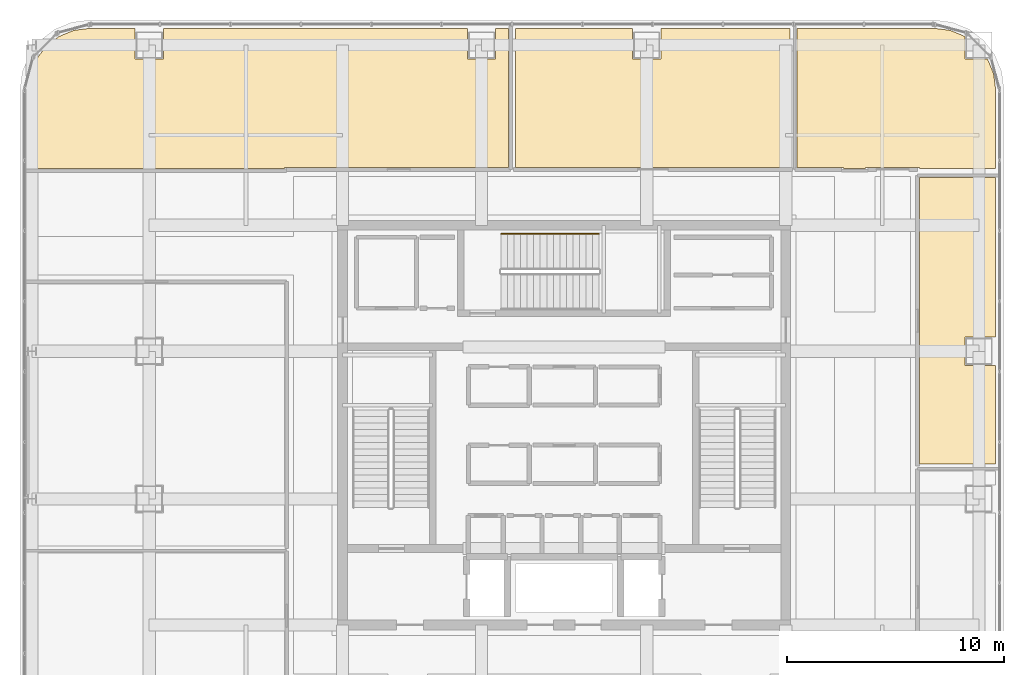
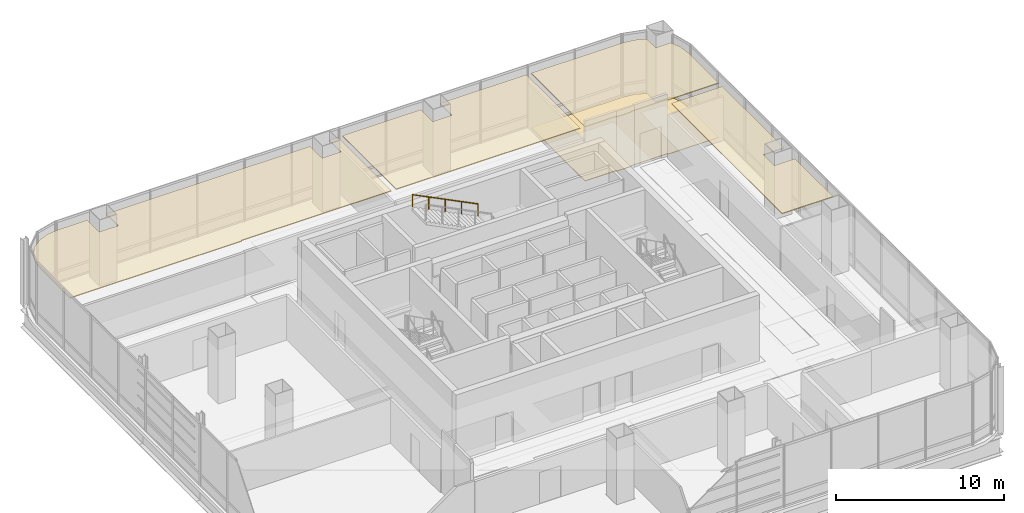
# One storey, part 45 of 45: 5 coverings, 1 railing.
"""IFC4 building model written with IfcOpenShell, lengths in metres."""

from ifc_helpers import new_model, si_unit, direction, frame, origin, origin_2d, place, context, subcontext, project, spatial, polyline, circle, outline, extrude, material, layer, layer_set, type_object, element, save


model = new_model("IFC4")

# Units and contexts
model_context = context("Model", 3, precision=1e-05, world=origin(), true_north=direction((0.0, 1.0)))
body_context = subcontext(model_context, "Body", "Model", "MODEL_VIEW")
ifc_project = project(units=[si_unit("LENGTHUNIT", "METRE"), si_unit("AREAUNIT", "SQUARE_METRE"), si_unit("VOLUMEUNIT", "CUBIC_METRE"), si_unit("PLANEANGLEUNIT", "RADIAN"), si_unit("MASSUNIT", "GRAM", prefix="KILO")], contexts=[model_context])

# Site, building, storey
site_placement = place(None, origin())
site = spatial("IfcSite", under=ifc_project, at=site_placement, CompositionType="ELEMENT")
building_placement = place(site_placement, origin())
building = spatial("IfcBuilding", under=site, at=building_placement, Name="Punatoya Terracotta Tower", CompositionType="ELEMENT")
storey_placement = place(building_placement, frame((0.0, 0.0, 339.0)))
storey = spatial("IfcBuildingStorey", under=building, at=storey_placement, Name="L80", CompositionType="ELEMENT", Elevation=339.0)

# Coverings
ifc_material_1 = material(Name="Acoustic Mineral Fibre Ceiling")
ifc_layer_1 = layer(ifc_material_1, 0.06005859375)
ifc_layer_set_1 = layer_set([ifc_layer_1], Name="Acoustic Mineral Fibre Ceiling")
covering_type_1 = type_object("IfcCoveringType", Name="COV-CEIL-60", PredefinedType="CEILING", material=ifc_layer_set_1)
covering_1_placement = place(storey_placement, frame((0.0, 0.0, 3.929931640625)))
element("IfcCovering", 1, at=covering_1_placement, inside=storey, type_object=covering_type_1, Name="L80 Open-Plan Visitors' Wellness Lounge Acoustic Ceiling", PredefinedType="CEILING", context=body_context, shape_type="SweptSolid", body=[
    extrude(outline(polyline([(18.449951171875, 4.050048828125), (19.8701171875, 4.050048828125), (19.8701171875, 11.389892578125), (16.3701171875, 11.389892578125), (16.3701171875, -1.7900390625), (19.8701171875, -1.7900390625), (19.8701171875, 2.75), (18.449951171875, 2.75), (18.449951171875, 4.050048828125)])), origin(), (0.0, 0.0, 1.0), 0.06005859375),
])
covering_2_placement = place(storey_placement, frame((0.0, 0.0, 3.929931640625)))
element("IfcCovering", 2, at=covering_2_placement, inside=storey, type_object=covering_type_1, Name="L80 Open-Plan Horizon Tea Pantry Acoustic Ceiling", PredefinedType="CEILING", context=body_context, shape_type="SweptSolid", body=[
    extrude(outline(polyline([(-19.75, 18.27001953125), (-21.8251953125, 18.27001953125), (-22.5791015625, 18.1708984375), (-23.25830078125, 17.889404296875), (-23.841796875, 17.441650390625), (-24.289306640625, 16.8583984375), (-24.57080078125, 16.178955078125), (-24.669921875, 15.425048828125), (-24.669921875, 11.81005859375), (-12.8701171875, 11.81005859375), (-12.8701171875, 11.8701171875), (-2.56005859375, 11.8701171875), (-2.56005859375, 18.27001953125), (-3.14990234375, 18.27001953125), (-3.14990234375, 16.85009765625), (-4.449951171875, 16.85009765625), (-4.449951171875, 18.27001953125), (-18.449951171875, 18.27001953125), (-18.449951171875, 16.85009765625), (-19.75, 16.85009765625), (-19.75, 18.27001953125)])), origin(), (0.0, 0.0, 1.0), 0.06005859375),
])
covering_3_placement = place(storey_placement, frame((0.0, 0.0, 3.929931640625)))
element("IfcCovering", 3, at=covering_3_placement, inside=storey, type_object=covering_type_1, Name="L80 Open-Plan Waterfront Observation Gallery Acoustic Ceiling", PredefinedType="CEILING", context=body_context, shape_type="SweptSolid", body=[
    extrude(outline(polyline([(12.8701171875, 11.81005859375), (13.8798828125, 11.81005859375), (13.8798828125, 11.8701171875), (16.3701171875, 11.8701171875), (16.3701171875, 11.81005859375), (19.8701171875, 11.81005859375), (19.8701171875, 15.425048828125), (19.770751953125, 16.178955078125), (19.492919921875, 16.85009765625), (18.449951171875, 16.85009765625), (18.449951171875, 17.892822265625), (17.779052734375, 18.1708984375), (17.025146484375, 18.27001953125), (10.72412109375, 18.27001953125), (10.72412109375, 11.8701171875), (12.8701171875, 11.8701171875), (12.8701171875, 11.81005859375)])), origin(), (0.0, 0.0, 1.0), 0.06005859375),
])
covering_4_placement = place(storey_placement, frame((0.0, 0.0, 3.929931640625)))
element("IfcCovering", 4, at=covering_4_placement, inside=storey, type_object=covering_type_1, Name="L80 Open-Plan Heritage Collections Curatorial Study Acoustic Ceiling", PredefinedType="CEILING", context=body_context, shape_type="SweptSolid", body=[
    extrude(outline(polyline([(3.14990234375, 18.27001953125), (-2.239990234375, 18.27001953125), (-2.239990234375, 11.8701171875), (10.404052734375, 11.8701171875), (10.404052734375, 18.27001953125), (4.449951171875, 18.27001953125), (4.449951171875, 16.85009765625), (3.14990234375, 16.85009765625), (3.14990234375, 18.27001953125)])), origin(), (0.0, 0.0, 1.0), 0.06005859375),
])
ifc_material_2 = material(Name="Sandstone & Raised Access Flooring", Category="masonry")
ifc_layer_2 = layer(ifc_material_2, 0.080078125)
ifc_layer_set_2 = layer_set([ifc_layer_2], Name="Sandstone & Raised Access Flooring")
covering_type_2 = type_object("IfcCoveringType", Name="COV-FLR-80", PredefinedType="FLOORING", material=ifc_layer_set_2)
covering_5_placement = place(storey_placement, origin())
element("IfcCovering", 5, at=covering_5_placement, inside=storey, type_object=covering_type_2, Name="L80 Open-Plan Waterfront Observation Gallery Stone Floor Finish", PredefinedType="FLOORING", context=body_context, shape_type="SweptSolid", body=[
    extrude(outline(polyline([(12.8701171875, 11.81005859375), (13.8798828125, 11.81005859375), (13.8798828125, 11.8701171875), (16.3701171875, 11.8701171875), (16.3701171875, 11.81005859375), (19.8701171875, 11.81005859375), (19.8701171875, 15.425048828125), (19.770751953125, 16.178955078125), (19.492919921875, 16.85009765625), (18.449951171875, 16.85009765625), (18.449951171875, 17.892822265625), (17.779052734375, 18.1708984375), (17.025146484375, 18.27001953125), (10.72412109375, 18.27001953125), (10.72412109375, 11.8701171875), (12.8701171875, 11.8701171875), (12.8701171875, 11.81005859375)])), origin(), (0.0, 0.0, 1.0), 0.0400390625),
])

# Railing
ifc_material_3 = material(Name="Steel S355", Category="steel")
railing_type = type_object("IfcRailingType", Name="RLG-HND-900", PredefinedType="HANDRAIL", material=ifc_material_3)
railing_placement = place(storey_placement, frame((1.60009765625, 8.800048828125, 2.550048828125)))
element("IfcRailing", 6, at=railing_placement, inside=storey, type_object=railing_type, Name="L80 ST-3 stair handrail 2", PredefinedType="HANDRAIL", context=body_context, shape_type="SweptSolid", body=[
    extrude(circle(Radius=0.02392578125, at=origin_2d()), frame((0.0, 0.0, 0.8759765625), z_axis=(-0.894427191, 0.0, 0.4472135955), x_axis=(0.0, -1.0, 0.0)), (0.0, 0.0, 1.0), 5.03125),
    extrude(circle(Radius=0.02099609375, at=origin_2d()), origin(), (0.0, 0.0, 1.0), 0.851806640625),
    extrude(circle(Radius=0.02099609375, at=origin_2d()), frame((-1.125, 0.0, 0.5625)), (0.0, 0.0, 1.0), 0.851806640625),
    extrude(circle(Radius=0.02099609375, at=origin_2d()), frame((-2.25, 0.0, 1.125)), (0.0, 0.0, 1.0), 0.851806640625),
    extrude(circle(Radius=0.02099609375, at=origin_2d()), frame((-3.375, 0.0, 1.6875)), (0.0, 0.0, 1.0), 0.851806640625),
    extrude(circle(Radius=0.02099609375, at=origin_2d()), frame((-4.5, 0.0, 2.25)), (0.0, 0.0, 1.0), 0.851806640625),
])

save(model, "model.ifc")
